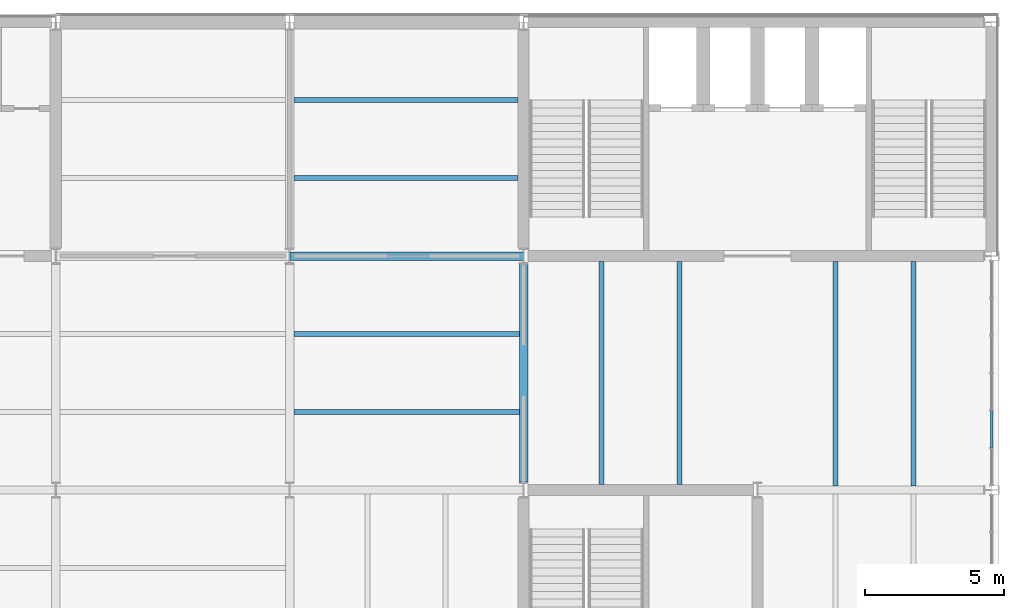
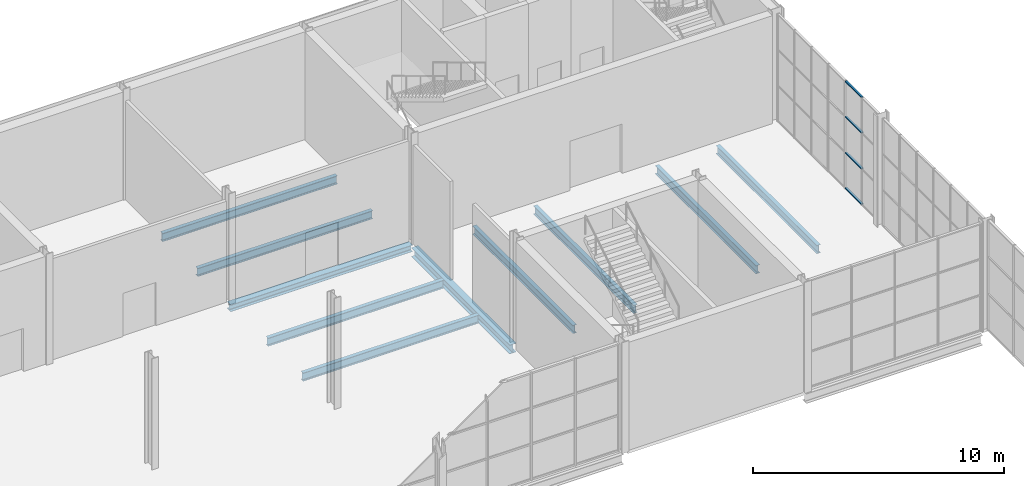
# One storey, part 30 of 64: 10 beams, 4 members, 1 element without a shape of its own.
"""IFC4 building model written with IfcOpenShell, lengths in metres."""

from ifc_helpers import new_model, si_unit, direction, frame, origin, origin_2d, place, context, subcontext, project, spatial, rectangle, i_section, extrude, material, layer, layer_set, material_profile, profile_set, type_object, element, aggregate, save


model = new_model("IFC4")

# Units and contexts
model_context = context("Model", 3, precision=1e-05, world=origin(), true_north=direction((0.0, 1.0)))
body_context = subcontext(model_context, "Body", "Model", "MODEL_VIEW")
ifc_project = project(units=[si_unit("LENGTHUNIT", "METRE"), si_unit("AREAUNIT", "SQUARE_METRE"), si_unit("VOLUMEUNIT", "CUBIC_METRE"), si_unit("PLANEANGLEUNIT", "RADIAN"), si_unit("MASSUNIT", "GRAM", prefix="KILO")], contexts=[model_context])

# Site, building, storey
site_placement = place(None, origin())
site = spatial("IfcSite", under=ifc_project, at=site_placement, CompositionType="ELEMENT")
building_placement = place(site_placement, origin())
building = spatial("IfcBuilding", under=site, at=building_placement, Name="Galleria Vessillo Department Store", CompositionType="ELEMENT")
storey_placement = place(building_placement, frame((0.0, 0.0, 6.0)))
storey = spatial("IfcBuildingStorey", under=building, at=storey_placement, Name="L01", CompositionType="ELEMENT", Elevation=6.0)

# Curtain wall, members
ifc_material_1 = material(Name="Aluminium and glass curtain wall", Category="aluminium")
ifc_layer = layer(ifc_material_1, 0.1201171875)
ifc_layer_set = layer_set([ifc_layer], Name="Aluminium and glass curtain wall")
curtain_wall_type = type_object("IfcCurtainWallType", Name="Shopfront curtain wall CW3 1400 module", PredefinedType="NOTDEFINED", material=ifc_layer_set)
curtain_wall_placement = place(storey_placement, origin())
curtain_wall = element("IfcCurtainWall", 1, at=curtain_wall_placement, inside=storey, type_object=curtain_wall_type, Name="Shopfront curtain wall CW3 1400 module SE-N-L01-02", PredefinedType="NOTDEFINED")
ifc_material_2 = material(Name="Aluminium alloy 6063 T6", Category="aluminium")
ifc_material_profile_1 = material_profile(ifc_material_2, rectangle(XDim=0.10009765625, YDim=0.050048828125, at=origin_2d()), Name="AL 50x100")
ifc_profile_set_1 = profile_set([ifc_material_profile_1], Name="Aluminium alloy 6063 T6")
member_type = type_object("IfcMemberType", Name="Aluminium transom 50 x 100", PredefinedType="USERDEFINED", material=ifc_profile_set_1)
member_1_placement = place(storey_placement, frame((117.60009765625, 47.72705078125, 0.02490234375), z_axis=(0.0, 1.0, 0.0), x_axis=(-1.0, 0.0, 0.0)))
member_1 = element("IfcMember", 2, at=member_1_placement, type_object=member_type, Name="CW3 transom 2.1", ObjectType="TRANSOM", PredefinedType="USERDEFINED", context=body_context, shape_type="SweptSolid", body=[
    extrude(rectangle(XDim=0.10009765625, YDim=0.050048828125, at=origin_2d()), origin(), (0.0, 0.0, 1.0), 1.299072265625),
])
member_2_placement = place(storey_placement, frame((117.60009765625, 47.72705078125, 1.75), z_axis=(0.0, 1.0, 0.0), x_axis=(-1.0, 0.0, 0.0)))
member_2 = element("IfcMember", 3, at=member_2_placement, type_object=member_type, Name="CW3 transom 2.2", ObjectType="TRANSOM", PredefinedType="USERDEFINED", context=body_context, shape_type="SweptSolid", body=[
    extrude(rectangle(XDim=0.10009765625, YDim=0.050048828125, at=origin_2d()), origin(), (0.0, 0.0, 1.0), 1.299072265625),
])
member_3_placement = place(storey_placement, frame((117.60009765625, 47.72705078125, 3.5), z_axis=(0.0, 1.0, 0.0), x_axis=(-1.0, 0.0, 0.0)))
member_3 = element("IfcMember", 4, at=member_3_placement, type_object=member_type, Name="CW3 transom 2.3", ObjectType="TRANSOM", PredefinedType="USERDEFINED", context=body_context, shape_type="SweptSolid", body=[
    extrude(rectangle(XDim=0.10009765625, YDim=0.050048828125, at=origin_2d()), origin(), (0.0, 0.0, 1.0), 1.299072265625),
])
member_4_placement = place(storey_placement, frame((117.60009765625, 47.72705078125, 5.22509765625), z_axis=(0.0, 1.0, 0.0), x_axis=(-1.0, 0.0, 0.0)))
member_4 = element("IfcMember", 5, at=member_4_placement, type_object=member_type, Name="CW3 transom 2.4", ObjectType="TRANSOM", PredefinedType="USERDEFINED", context=body_context, shape_type="SweptSolid", body=[
    extrude(rectangle(XDim=0.10009765625, YDim=0.050048828125, at=origin_2d()), origin(), (0.0, 0.0, 1.0), 1.299072265625),
])
aggregate(curtain_wall, [member_1, member_2, member_3, member_4])

# Beams
ifc_material_3 = material(Name="Steel S355 J2", Category="steel")
ifc_material_profile_2 = material_profile(ifc_material_3, i_section(OverallWidth=0.300048828125, OverallDepth=0.43994140625, WebThickness=0.011474609375, FlangeThickness=0.02099609375, FilletRadius=0.027099609375, at=origin_2d()), Name="HEA 450")
ifc_profile_set_2 = profile_set([ifc_material_profile_2], Name="Steel S355 J2")
beam_type_1 = type_object("IfcBeamType", Name="Floor girder HEA 450", PredefinedType="BEAM", material=ifc_profile_set_2)
beam_1_placement = place(storey_placement, frame((100.800048828125, 46.486083984375, -0.369873046875), z_axis=(0.0, 1.0, 0.0), x_axis=(-1.0, 0.0, 0.0)))
element("IfcBeam", 6, at=beam_1_placement, inside=storey, type_object=beam_type_1, Name="S-BM-L01-GI-y100800-46486", PredefinedType="BEAM", context=body_context, shape_type="SweptSolid", body=[
    extrude(i_section(OverallWidth=0.300048828125, OverallDepth=0.43994140625, WebThickness=0.011474609375, FlangeThickness=0.02099609375, FilletRadius=0.027099609375, at=origin_2d()), origin(), (0.0, 0.0, 1.0), 7.827880859375),
])
ifc_material_4 = material(Name="Steel S355 J2", Category="steel")
ifc_material_profile_3 = material_profile(ifc_material_4, i_section(OverallWidth=0.179931640625, OverallDepth=0.39990234375, WebThickness=0.008544921875, FlangeThickness=0.013427734375, FilletRadius=0.02099609375, at=origin_2d()), Name="IPE 400")
ifc_profile_set_3 = profile_set([ifc_material_profile_3], Name="Steel S355 J2")
beam_type_2 = type_object("IfcBeamType", Name="Floor joist IPE 400", PredefinedType="JOIST", material=ifc_profile_set_3)
for number, where, z_axis, x_axis, name in (
    (7, (92.550048828125, 49.0, -0.349853515625), (1.0, 0.0, 0.0), (0.0, 1.0, 0.0), "S-BM-L01-JO-x49000-92550"),
    (8, (92.550048828125, 51.800048828125, -0.349853515625), (1.0, 0.0, 0.0), (0.0, 1.0, 0.0), "S-BM-L01-JO-x51800-92550"),
):
    element("IfcBeam", number, at=place(storey_placement, frame(where, z_axis=z_axis, x_axis=x_axis)), inside=storey, type_object=beam_type_2, Name=name, PredefinedType="JOIST", context=body_context, shape_type="SweptSolid", body=[
        extrude(i_section(OverallWidth=0.179931640625, OverallDepth=0.39990234375, WebThickness=0.008544921875, FlangeThickness=0.013427734375, FilletRadius=0.02099609375, at=origin_2d()), origin(), (0.0, 0.0, 1.0), 8.099853515625),
    ])
for number, where, z_axis, x_axis, name in (
    (9, (92.550048828125, 57.39990234375, -0.349853515625), (1.0, 0.0, 0.0), (0.0, 1.0, 0.0), "S-BM-L01-JO-x57400-92550"),
    (10, (92.550048828125, 60.199951171875, -0.349853515625), (1.0, 0.0, 0.0), (0.0, 1.0, 0.0), "S-BM-L01-JO-x60200-92550"),
):
    element("IfcBeam", number, at=place(storey_placement, frame(where, z_axis=z_axis, x_axis=x_axis)), inside=storey, type_object=beam_type_2, Name=name, PredefinedType="JOIST", context=body_context, shape_type="SweptSolid", body=[
        extrude(i_section(OverallWidth=0.179931640625, OverallDepth=0.39990234375, WebThickness=0.008544921875, FlangeThickness=0.013427734375, FilletRadius=0.02099609375, at=origin_2d()), origin(), (0.0, 0.0, 1.0), 8.0498046875),
    ])
for number, where, z_axis, x_axis, name in (
    (11, (103.60009765625, 46.400146484375, -0.349853515625), (0.0, 1.0, 0.0), (-1.0, 0.0, 0.0), "S-BM-L01-JO-y103600-46400"),
    (12, (106.39990234375, 46.400146484375, -0.349853515625), (0.0, 1.0, 0.0), (-1.0, 0.0, 0.0), "S-BM-L01-JO-y106400-46400"),
):
    element("IfcBeam", number, at=place(storey_placement, frame(where, z_axis=z_axis, x_axis=x_axis)), inside=storey, type_object=beam_type_2, Name=name, PredefinedType="JOIST", context=body_context, shape_type="SweptSolid", body=[
        extrude(i_section(OverallWidth=0.179931640625, OverallDepth=0.39990234375, WebThickness=0.008544921875, FlangeThickness=0.013427734375, FilletRadius=0.02099609375, at=origin_2d()), origin(), (0.0, 0.0, 1.0), 7.999755859375),
    ])
for number, where, z_axis, x_axis, name in (
    (13, (112.0, 46.35009765625, -0.349853515625), (0.0, 1.0, 0.0), (-1.0, 0.0, 0.0), "S-BM-L01-JO-y112000-46350"),
    (14, (114.800048828125, 46.35009765625, -0.349853515625), (0.0, 1.0, 0.0), (-1.0, 0.0, 0.0), "S-BM-L01-JO-y114800-46350"),
):
    element("IfcBeam", number, at=place(storey_placement, frame(where, z_axis=z_axis, x_axis=x_axis)), inside=storey, type_object=beam_type_2, Name=name, PredefinedType="JOIST", context=body_context, shape_type="SweptSolid", body=[
        extrude(i_section(OverallWidth=0.179931640625, OverallDepth=0.39990234375, WebThickness=0.008544921875, FlangeThickness=0.013427734375, FilletRadius=0.02099609375, at=origin_2d()), origin(), (0.0, 0.0, 1.0), 8.0498046875),
    ])
ifc_material_5 = material(Name="Steel S355 J2", Category="steel")
ifc_material_profile_4 = material_profile(ifc_material_5, i_section(OverallWidth=0.300048828125, OverallDepth=0.330078125, WebThickness=0.009521484375, FlangeThickness=0.0166015625, FilletRadius=0.027099609375, at=origin_2d()), Name="HEA 340")
ifc_profile_set_4 = profile_set([ifc_material_profile_4], Name="Steel S355 J2")
beam_type_3 = type_object("IfcBeamType", Name="Floor tie girder HEA 340", PredefinedType="BEAM", material=ifc_profile_set_4)
beam_2_placement = place(storey_placement, frame((92.41064453125, 54.60009765625, -0.31494140625), z_axis=(1.0, 0.0, 0.0), x_axis=(0.0, 1.0, 0.0)))
element("IfcBeam", 15, at=beam_2_placement, inside=storey, type_object=beam_type_3, Name="S-BM-L01-TI-x54600-92411", PredefinedType="BEAM", context=body_context, shape_type="SweptSolid", body=[
    extrude(i_section(OverallWidth=0.300048828125, OverallDepth=0.330078125, WebThickness=0.009521484375, FlangeThickness=0.0166015625, FilletRadius=0.027099609375, at=origin_2d()), origin(), (0.0, 0.0, 1.0), 8.378662109375),
])

save(model, "model.ifc")
